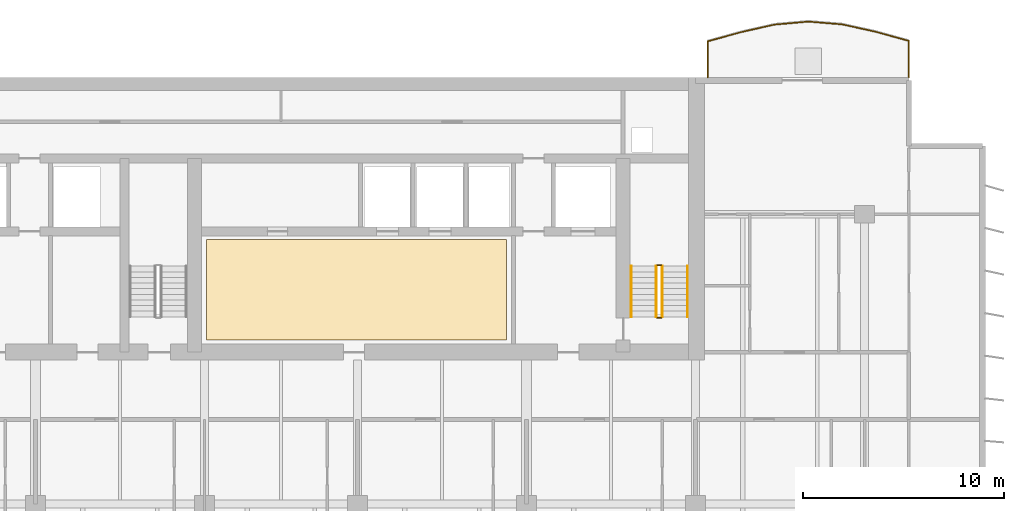
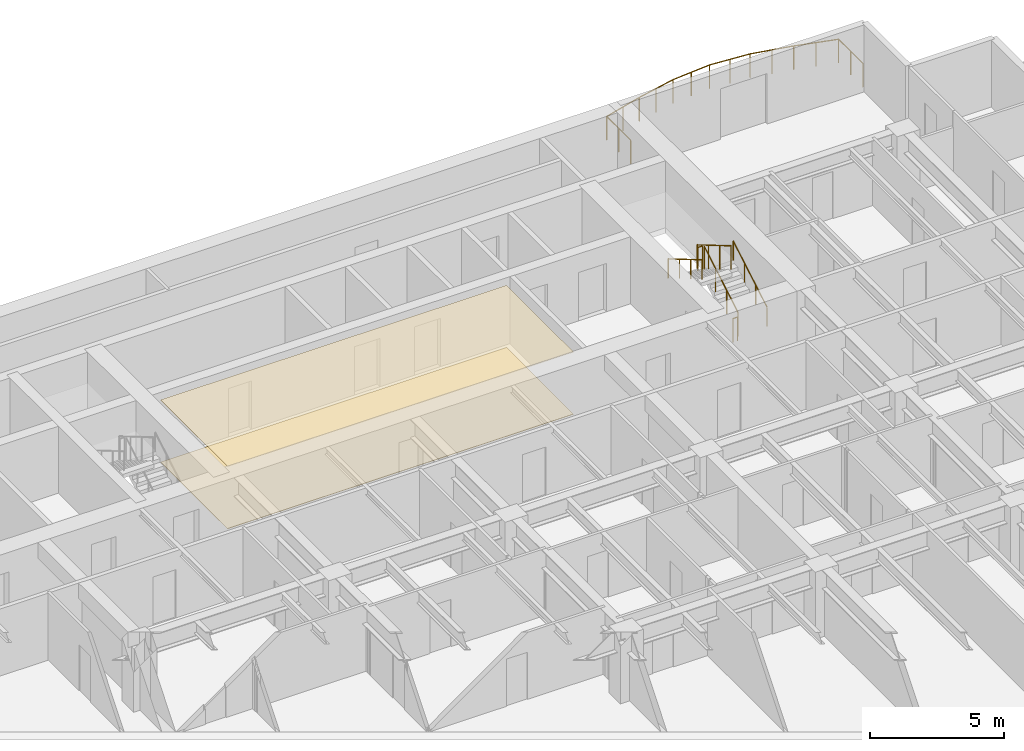
# One storey, part 18 of 19: 7 railings, 2 coverings.
"""IFC4 building model written with IfcOpenShell, lengths in metres."""

import ifcopenshell
import ifcopenshell.guid

model = None  # the IFC model being written
_history = None  # IfcOwnerHistory: only IFC2X3 demands one
_inside = {}  # id of a spatial element -> (the spatial element, [elements in it])
_under = {}  # id of a project, library or spatial element -> (it, [spatial elements below it])
_declared = {}  # id of a project -> (the project, [libraries it declares])
_typed = {}  # id of a type object -> (the type object, [elements of that type])
_made_of = {}  # id of a material, layer set ... -> (it, [elements and type objects made of it])


def new_model(schema):
    """Start an empty IFC model of exactly this schema.

    Asked for "IFC4X3", IfcOpenShell would pick the latest addendum, in which some entities
    have other attributes; the version numbers below select the first issue.
    IFC2X3 requires an IfcOwnerHistory on every rooted entity: one is made here for all.
    """
    global model, _history
    if schema == "IFC4X3":
        model = ifcopenshell.file(schema_version=(4, 3, 0, 0))
    else:
        model = ifcopenshell.file(schema=schema)
    _inside.clear()
    _under.clear()
    _declared.clear()
    _typed.clear()
    _made_of.clear()
    _history = None
    if model.schema == "IFC2X3":
        org = make("IfcOrganization", Name="unknown")
        user = make(
            "IfcPersonAndOrganization",
            ThePerson=make("IfcPerson", FamilyName="unknown"),
            TheOrganization=org,
        )
        app = make(
            "IfcApplication",
            ApplicationDeveloper=org,
            Version="unknown",
            ApplicationFullName="unknown",
            ApplicationIdentifier="unknown",
        )
        _history = make(
            "IfcOwnerHistory",
            OwningUser=user,
            OwningApplication=app,
            ChangeAction="ADDED",
            CreationDate=0,
        )
    return model


def make(cls, **values):
    """One entity of the class cls with the attributes given. An attribute that is None is left unset."""
    return model.create_entity(
        cls, **{name: value for name, value in values.items() if value is not None}
    )


def rooted(cls, **values):
    """An entity with a GlobalId (a new one), such as an element, a storey or a relation."""
    return make(cls, GlobalId=ifcopenshell.guid.new(), OwnerHistory=_history, **values)


def si_unit(unit_type, name, prefix=None):
    """IfcSIUnit, for example si_unit("LENGTHUNIT", "METRE", prefix="MILLI")."""
    return make("IfcSIUnit", UnitType=unit_type, Prefix=prefix, Name=name)


def assignment(units):
    """IfcUnitAssignment: the units of a project."""
    return None if units is None else make("IfcUnitAssignment", Units=units)


def point(xyz):
    """IfcCartesianPoint."""
    return None if xyz is None else make("IfcCartesianPoint", Coordinates=xyz)


def direction(xyz):
    """IfcDirection."""
    return None if xyz is None else make("IfcDirection", DirectionRatios=xyz)


def frame(location, z_axis=None, x_axis=None):
    """IfcAxis2Placement3D, a coordinate frame: its origin and axes. An axis left out is left unset."""
    return make(
        "IfcAxis2Placement3D",
        Location=point(location),
        Axis=direction(z_axis),
        RefDirection=direction(x_axis),
    )


def frame_2d(location, x_axis=None):
    """IfcAxis2Placement2D, a coordinate frame in the plane: its origin and x axis."""
    return make(
        "IfcAxis2Placement2D", Location=point(location), RefDirection=direction(x_axis)
    )


def origin():
    """The frame at (0, 0, 0) with its axes left unset."""
    return frame((0.0, 0.0, 0.0))


def origin_2d():
    """The frame at (0, 0) in the plane with its x axis left unset."""
    return frame_2d((0.0, 0.0))


def place(relative_to, where):
    """IfcLocalPlacement: puts the frame where relative to a parent placement (None: the world)."""
    return make(
        "IfcLocalPlacement", PlacementRelTo=relative_to, RelativePlacement=where
    )


def context(
    kind, dimensions, precision=None, world=None, true_north=None, identifier=None
):
    """IfcGeometricRepresentationContext, for example the 3D "Model" context."""
    return make(
        "IfcGeometricRepresentationContext",
        ContextIdentifier=identifier,
        ContextType=kind,
        CoordinateSpaceDimension=dimensions,
        Precision=precision,
        WorldCoordinateSystem=world,
        TrueNorth=true_north,
    )


def subcontext(parent, identifier, kind, view, scale=None):
    """IfcGeometricRepresentationSubContext, for example "Body" below "Model"."""
    return make(
        "IfcGeometricRepresentationSubContext",
        ContextIdentifier=identifier,
        ContextType=kind,
        ParentContext=parent,
        TargetScale=scale,
        TargetView=view,
    )


def project(units=None, contexts=None):
    """IfcProject with its units and contexts."""
    return rooted(
        "IfcProject",
        Name="project",
        RepresentationContexts=contexts,
        UnitsInContext=assignment(units),
    )


def spatial(cls, under=None, at=None, **own):
    """A site, building, storey or space (cls), placed at a placement, below another one or the project."""
    s = rooted(cls, ObjectPlacement=at, **own)
    if under is not None:
        _under.setdefault(under.id(), (under, []))[1].append(s)
    return s


def polyline(points):
    """IfcPolyline through the points."""
    return make("IfcPolyline", Points=[point(p) for p in points])


def profile(cls, at=None, kind="AREA", **sizes):
    """A parametric profile (cls). Its sizes go by their IFC names, for example OverallWidth=200.0."""
    return make(cls, ProfileType=kind, Position=at, **sizes)


def circle(**sizes):
    """IfcCircleProfileDef."""
    return profile("IfcCircleProfileDef", **sizes)


def outline(outer, holes=None, kind="AREA"):
    """IfcArbitraryClosedProfileDef: a profile drawn as a closed curve; with holes, ...WithVoids."""
    if holes is None:
        return make("IfcArbitraryClosedProfileDef", ProfileType=kind, OuterCurve=outer)
    return make(
        "IfcArbitraryProfileDefWithVoids",
        ProfileType=kind,
        OuterCurve=outer,
        InnerCurves=holes,
    )


def extrude(swept, where, along, depth):
    """IfcExtrudedAreaSolid: the profile swept, set in the frame where, extruded along a direction by depth."""
    return make(
        "IfcExtrudedAreaSolid",
        SweptArea=swept,
        Position=where,
        ExtrudedDirection=direction(along),
        Depth=depth,
    )


def shape(context_of_items, identifier, shape_type, items):
    """IfcShapeRepresentation: the items that make up one representation, for example the "Body"."""
    return make(
        "IfcShapeRepresentation",
        ContextOfItems=context_of_items,
        RepresentationIdentifier=identifier,
        RepresentationType=shape_type,
        Items=items,
    )


def material(Name=None, Category=None):
    """IfcMaterial."""
    return make("IfcMaterial", Name=Name, Category=Category)


def layer(
    of_material, thickness, ventilated=None, Name=None, Category=None, Priority=None
):
    """IfcMaterialLayer: one layer of a wall or slab, of a material (None: an air gap)."""
    return make(
        "IfcMaterialLayer",
        Material=of_material,
        LayerThickness=thickness,
        IsVentilated=ventilated,
        Name=Name,
        Category=Category,
        Priority=Priority,
    )


def layer_set(layers, Name=None):
    """IfcMaterialLayerSet."""
    return make("IfcMaterialLayerSet", MaterialLayers=layers, LayerSetName=Name)


def made_of(thing, what):
    """Note that an element or type object is made of a material, layer set ...; save() writes the relation."""
    if what is not None:
        _made_of.setdefault(what.id(), (what, []))[1].append(thing)
    return thing


def type_object(cls, material=None, **own):
    """A type object (cls), such as IfcWallType, which elements share."""
    return made_of(rooted(cls, **own), material)


def element(
    cls,
    number,
    at=None,
    inside=None,
    cuts=None,
    type_object=None,
    material=None,
    context=None,
    identifier="Body",
    shape_type=None,
    held_by="IfcProductDefinitionShape",
    body=None,
    shapes=None,
    **own,
):
    """One element of the class cls, such as IfcWall. Its Tag is "e" and its number.

    at: its placement. inside: the storey or other place that contains it. cuts: it is an
    opening in that element (IfcRelVoidsElement). A single representation is given by context,
    identifier, shape_type and body (its items); several are given by shapes. held_by: the class
    of the entity that holds the representations. save() writes the other relations.
    """
    e = rooted(cls, Tag="e%d" % number, ObjectPlacement=at, **own)
    if body is not None:
        shapes = [shape(context, identifier, shape_type, body)]
    if shapes is not None:
        e.Representation = make(held_by, Representations=shapes)
    if inside is not None:
        _inside.setdefault(inside.id(), (inside, []))[1].append(e)
    if cuts is not None:
        rooted(
            "IfcRelVoidsElement", RelatingBuildingElement=cuts, RelatedOpeningElement=e
        )
    if type_object is not None:
        _typed.setdefault(type_object.id(), (type_object, []))[1].append(e)
    return made_of(e, material)


def aggregate(whole, parts):
    """IfcRelAggregates: a whole, such as a stair, and the parts it consists of."""
    return rooted("IfcRelAggregates", RelatingObject=whole, RelatedObjects=parts)


def save(model, path):
    """Write the relations noted so far, then the file.

    IfcRelAggregates (storeys below a building ...), IfcRelContainedInSpatialStructure (elements
    in a storey), IfcRelDefinesByType, IfcRelAssociatesMaterial and IfcRelDeclares: one each for
    every whole, place, type object, material and project.
    """
    for whole, parts in _under.values():
        aggregate(whole, parts)
    for where, things in _inside.values():
        rooted(
            "IfcRelContainedInSpatialStructure",
            RelatedElements=things,
            RelatingStructure=where,
        )
    for kind, things in _typed.values():
        rooted("IfcRelDefinesByType", RelatedObjects=things, RelatingType=kind)
    for what, things in _made_of.values():
        rooted("IfcRelAssociatesMaterial", RelatedObjects=things, RelatingMaterial=what)
    for by, libraries in _declared.values():
        rooted("IfcRelDeclares", RelatingContext=by, RelatedDefinitions=libraries)
    model.write(path)


model = new_model("IFC4")

# Units and contexts
model_context = context("Model", 3, precision=1e-05, world=origin(), true_north=direction((0.0, 1.0)))
body_context = subcontext(model_context, "Body", "Model", "MODEL_VIEW")
ifc_project = project(units=[si_unit("LENGTHUNIT", "METRE"), si_unit("AREAUNIT", "SQUARE_METRE"), si_unit("VOLUMEUNIT", "CUBIC_METRE"), si_unit("PLANEANGLEUNIT", "RADIAN"), si_unit("MASSUNIT", "GRAM", prefix="KILO")], contexts=[model_context])

# Site, building, storey
site_placement = place(None, origin())
site = spatial("IfcSite", under=ifc_project, at=site_placement, CompositionType="ELEMENT")
building_placement = place(site_placement, origin())
building = spatial("IfcBuilding", under=site, at=building_placement, Name="Caelmar Bay Residences", CompositionType="ELEMENT")
storey_placement = place(building_placement, frame((0.0, 0.0, 112.5)))
storey = spatial("IfcBuildingStorey", under=building, at=storey_placement, Name="L30", CompositionType="ELEMENT", Elevation=112.5)

# Coverings
ifc_material_1 = material(Name="Perforated acoustic gypsum-mineral ceiling tile 20 mm")
ifc_layer_1 = layer(ifc_material_1, 0.02001953125)
ifc_layer_set_1 = layer_set([ifc_layer_1], Name="Perforated acoustic gypsum-mineral ceiling tile 20 mm")
covering_type_1 = type_object("IfcCoveringType", Name="COV-CEIL-20", PredefinedType="CEILING", material=ifc_layer_set_1)
covering_1_placement = place(storey_placement, frame((0.0, 0.0, 2.830078125)))
element("IfcCovering", 1, at=covering_1_placement, inside=storey, type_object=covering_type_1, Name="L30 Lift Lobby Acoustic Ceiling", PredefinedType="CEILING", context=body_context, shape_type="SweptSolid", body=[
    extrude(outline(polyline([(35.199951171875, 37.550048828125), (50.10009765625, 37.550048828125), (50.10009765625, 42.550048828125), (35.199951171875, 42.550048828125), (35.199951171875, 37.550048828125)])), origin(), (0.0, 0.0, 1.0), 0.02001953125),
])
ifc_material_2 = material(Name="Honed terrazzo and engineered white-oak flooring 20 mm")
ifc_layer_2 = layer(ifc_material_2, 0.02001953125)
ifc_layer_set_2 = layer_set([ifc_layer_2], Name="Honed terrazzo and engineered white-oak flooring 20 mm")
covering_type_2 = type_object("IfcCoveringType", Name="COV-FLR-20", PredefinedType="FLOORING", material=ifc_layer_set_2)
covering_2_placement = place(storey_placement, origin())
element("IfcCovering", 2, at=covering_2_placement, inside=storey, type_object=covering_type_2, Name="L30 Lift Lobby Terrazzo Flooring", PredefinedType="FLOORING", context=body_context, shape_type="SweptSolid", body=[
    extrude(outline(polyline([(35.199951171875, 37.550048828125), (50.10009765625, 37.550048828125), (50.10009765625, 42.550048828125), (35.199951171875, 42.550048828125), (35.199951171875, 37.550048828125)])), origin(), (0.0, 0.0, 1.0), 0.02001953125),
])

# Railings
ifc_material_3 = material(Name="Anodised bronze handrail with laminated hurricane glass infill", Category="glass")
railing_type_1 = type_object("IfcRailingType", Name="RL-BAL-1100", PredefinedType="BALUSTRADE", material=ifc_material_3)
railing_1_placement = place(storey_placement, frame((70.10009765625, 50.60009765625, 0.0)))
element("IfcRailing", 3, at=railing_1_placement, inside=storey, type_object=railing_type_1, Name="L30 north_east Balcony Balustrade", PredefinedType="BALUSTRADE", context=body_context, shape_type="SweptSolid", body=[
    extrude(circle(Radius=0.02392578125, at=origin_2d()), frame((0.0, 0.0, 1.076171875), z_axis=(0.0, 1.0, 0.0), x_axis=(-1.0, 0.0, 0.0)), (0.0, 0.0, 1.0), 1.8095703125),
    extrude(circle(Radius=0.02392578125, at=origin_2d()), frame((0.0, 1.8095703125, 1.076171875), z_axis=(-0.964003851304, 0.265888274792, 0.0), x_axis=(-0.265888274792, -0.964003851304, 0.0)), (0.0, 0.0, 1.0), 1.72900390625),
    extrude(circle(Radius=0.02392578125, at=origin_2d()), frame((-1.666748046875, 2.269287109375, 1.076171875), z_axis=(-0.976732649354, 0.214460559745, 0.0), x_axis=(-0.214460559745, -0.976732649354, 0.0)), (0.0, 0.0, 1.0), 1.70654296875),
    extrude(circle(Radius=0.02392578125, at=origin_2d()), frame((-3.33349609375, 2.63525390625, 1.076171875), z_axis=(-0.996757913482, 0.080459069782, 0.0), x_axis=(-0.080459069782, -0.996757913482, 0.0)), (0.0, 0.0, 1.0), 1.671875),
    extrude(circle(Radius=0.02392578125, at=origin_2d()), frame((-5.0, 2.769775390625, 1.076171875), z_axis=(-0.99610915751, -0.088128011006, 0.0), x_axis=(0.088128011006, -0.99610915751, 0.0)), (0.0, 0.0, 1.0), 1.67333984375),
    extrude(circle(Radius=0.02392578125, at=origin_2d()), frame((-6.666748046875, 2.622314453125, 1.076171875), z_axis=(-0.975703783406, -0.219093877246, 0.0), x_axis=(0.219093877246, -0.975703783406, 0.0)), (0.0, 0.0, 1.0), 1.708251953125),
    extrude(circle(Radius=0.02392578125, at=origin_2d()), frame((-8.33349609375, 2.248046875, 1.076171875), z_axis=(-0.963957656343, -0.266055702395, 0.0), x_axis=(0.266055702395, -0.963957656343, 0.0)), (0.0, 0.0, 1.0), 1.728759765625),
    extrude(circle(Radius=0.02392578125, at=origin_2d()), frame((-10.0, 1.7880859375, 1.076171875), z_axis=(0.0, -1.0, 0.0), x_axis=(1.0, 0.0, 0.0)), (0.0, 0.0, 1.0), 1.7880859375),
    extrude(circle(Radius=0.02099609375, at=origin_2d()), origin(), (0.0, 0.0, 1.0), 1.052001953125),
    extrude(circle(Radius=0.02099609375, at=origin_2d()), frame((0.0, 0.90478515625, 0.0)), (0.0, 0.0, 1.0), 1.052001953125),
    extrude(circle(Radius=0.02099609375, at=origin_2d()), frame((0.0, 1.8095703125, 0.0)), (0.0, 0.0, 1.0), 1.052001953125),
    extrude(circle(Radius=0.02099609375, at=origin_2d()), frame((-0.83349609375, 2.03955078125, 0.0)), (0.0, 0.0, 1.0), 1.052001953125),
    extrude(circle(Radius=0.02099609375, at=origin_2d()), frame((-1.666748046875, 2.269287109375, 0.0)), (0.0, 0.0, 1.0), 1.052001953125),
    extrude(circle(Radius=0.02099609375, at=origin_2d()), frame((-2.5, 2.4521484375, 0.0)), (0.0, 0.0, 1.0), 1.052001953125),
    extrude(circle(Radius=0.02099609375, at=origin_2d()), frame((-3.33349609375, 2.63525390625, 0.0)), (0.0, 0.0, 1.0), 1.052001953125),
    extrude(circle(Radius=0.02099609375, at=origin_2d()), frame((-4.166748046875, 2.70263671875, 0.0)), (0.0, 0.0, 1.0), 1.052001953125),
    extrude(circle(Radius=0.02099609375, at=origin_2d()), frame((-5.0, 2.769775390625, 0.0)), (0.0, 0.0, 1.0), 1.052001953125),
    extrude(circle(Radius=0.02099609375, at=origin_2d()), frame((-5.83349609375, 2.696044921875, 0.0)), (0.0, 0.0, 1.0), 1.052001953125),
    extrude(circle(Radius=0.02099609375, at=origin_2d()), frame((-6.666748046875, 2.622314453125, 0.0)), (0.0, 0.0, 1.0), 1.052001953125),
    extrude(circle(Radius=0.02099609375, at=origin_2d()), frame((-7.5, 2.43505859375, 0.0)), (0.0, 0.0, 1.0), 1.052001953125),
    extrude(circle(Radius=0.02099609375, at=origin_2d()), frame((-8.33349609375, 2.248046875, 0.0)), (0.0, 0.0, 1.0), 1.052001953125),
    extrude(circle(Radius=0.02099609375, at=origin_2d()), frame((-9.166748046875, 2.01806640625, 0.0)), (0.0, 0.0, 1.0), 1.052001953125),
    extrude(circle(Radius=0.02099609375, at=origin_2d()), frame((-10.0, 1.7880859375, 0.0)), (0.0, 0.0, 1.0), 1.052001953125),
    extrude(circle(Radius=0.02099609375, at=origin_2d()), frame((-10.0, 0.89404296875, 0.0)), (0.0, 0.0, 1.0), 1.052001953125),
    extrude(circle(Radius=0.02099609375, at=origin_2d()), frame((-10.0, 0.0, 0.0)), (0.0, 0.0, 1.0), 1.052001953125),
])
ifc_material_4 = material(Name="Painted galvanized steel stair guard 1100 mm", Category="steel")
railing_type_2 = type_object("IfcRailingType", Name="RL-GRD-1100", PredefinedType="GUARDRAIL", material=ifc_material_4)
railing_2_placement = place(storey_placement, frame((57.85009765625, 38.699951171875, 0.1650390625)))
element("IfcRailing", 4, at=railing_2_placement, inside=storey, type_object=railing_type_2, Name="L30 ST2 stair guard 1", PredefinedType="GUARDRAIL", context=body_context, shape_type="SweptSolid", body=[
    extrude(circle(Radius=0.02392578125, at=origin_2d()), frame((0.0, 0.0, 1.076171875), z_axis=(0.0, 0.861560626758, 0.507654692109), x_axis=(-1.0, 0.0, 0.0)), (0.0, 0.0, 1.0), 2.925048828125),
    extrude(circle(Radius=0.02099609375, at=origin_2d()), origin(), (0.0, 0.0, 1.0), 1.052001953125),
    extrude(circle(Radius=0.02099609375, at=origin_2d()), frame((0.0, 0.840087890625, 0.494873046875)), (0.0, 0.0, 1.0), 1.052001953125),
    extrude(circle(Radius=0.02099609375, at=origin_2d()), frame((0.0, 1.679931640625, 0.989990234375)), (0.0, 0.0, 1.0), 1.052001953125),
    extrude(circle(Radius=0.02099609375, at=origin_2d()), frame((0.0, 2.52001953125, 1.48486328125)), (0.0, 0.0, 1.0), 1.052001953125),
])
railing_3_placement = place(storey_placement, frame((57.800048828125, 41.27001953125, 1.64990234375)))
element("IfcRailing", 5, at=railing_3_placement, inside=storey, type_object=railing_type_2, Name="L30 ST2 stair guard 2", PredefinedType="GUARDRAIL", context=body_context, shape_type="SweptSolid", body=[
    extrude(circle(Radius=0.02392578125, at=origin_2d()), frame((0.0, 0.0, 1.076171875), z_axis=(-1.0, 0.0, 0.0), x_axis=(0.0, -1.0, 0.0)), (0.0, 0.0, 1.0), 0.199951171875),
    extrude(circle(Radius=0.02099609375, at=origin_2d()), origin(), (0.0, 0.0, 1.0), 1.052001953125),
    extrude(circle(Radius=0.02099609375, at=origin_2d()), frame((-0.199951171875, 0.0, 0.0)), (0.0, 0.0, 1.0), 1.052001953125),
])
railing_4_placement = place(storey_placement, frame((57.550048828125, 41.219970703125, 1.81494140625)))
element("IfcRailing", 6, at=railing_4_placement, inside=storey, type_object=railing_type_2, Name="L30 ST2 stair guard 3", PredefinedType="GUARDRAIL", context=body_context, shape_type="SweptSolid", body=[
    extrude(circle(Radius=0.02392578125, at=origin_2d()), frame((0.0, 0.0, 1.076171875), z_axis=(0.0, -0.86152411907, 0.507716645641), x_axis=(1.0, 0.0, 0.0)), (0.0, 0.0, 1.0), 2.925048828125),
    extrude(circle(Radius=0.02099609375, at=origin_2d()), origin(), (0.0, 0.0, 1.0), 1.052001953125),
    extrude(circle(Radius=0.02099609375, at=origin_2d()), frame((0.0, -0.840087890625, 0.4951171875)), (0.0, 0.0, 1.0), 1.052001953125),
    extrude(circle(Radius=0.02099609375, at=origin_2d()), frame((0.0, -1.679931640625, 0.989990234375)), (0.0, 0.0, 1.0), 1.052001953125),
    extrude(circle(Radius=0.02099609375, at=origin_2d()), frame((0.0, -2.52001953125, 1.485107421875)), (0.0, 0.0, 1.0), 1.052001953125),
])
railing_5_placement = place(storey_placement, frame((57.800048828125, 38.64990234375, 0.0)))
element("IfcRailing", 7, at=railing_5_placement, inside=storey, type_object=railing_type_2, Name="L30 ST2 stair guard 4", PredefinedType="GUARDRAIL", context=body_context, shape_type="SweptSolid", body=[
    extrude(circle(Radius=0.02392578125, at=origin_2d()), frame((0.0, 0.0, 1.076171875), z_axis=(-1.0, 0.0, 0.0), x_axis=(0.0, -1.0, 0.0)), (0.0, 0.0, 1.0), 0.199951171875),
    extrude(circle(Radius=0.02099609375, at=origin_2d()), origin(), (0.0, 0.0, 1.0), 1.052001953125),
    extrude(circle(Radius=0.02099609375, at=origin_2d()), frame((-0.199951171875, 0.0, 0.0)), (0.0, 0.0, 1.0), 1.052001953125),
])
ifc_material_5 = material(Name="Brushed bronze stainless-steel tubular handrail 900 mm", Category="steel")
railing_type_3 = type_object("IfcRailingType", Name="RL-HND-900", PredefinedType="HANDRAIL", material=ifc_material_5)
railing_6_placement = place(storey_placement, frame((59.10009765625, 38.699951171875, 0.1650390625)))
element("IfcRailing", 8, at=railing_6_placement, inside=storey, type_object=railing_type_3, Name="L30 ST2 stair handrail 1", PredefinedType="HANDRAIL", context=body_context, shape_type="SweptSolid", body=[
    extrude(circle(Radius=0.02392578125, at=origin_2d()), frame((0.0, 0.0, 0.8759765625), z_axis=(0.0, 0.861560626758, 0.507654692109), x_axis=(-1.0, 0.0, 0.0)), (0.0, 0.0, 1.0), 2.925048828125),
    extrude(circle(Radius=0.02099609375, at=origin_2d()), origin(), (0.0, 0.0, 1.0), 0.851806640625),
    extrude(circle(Radius=0.02099609375, at=origin_2d()), frame((0.0, 0.840087890625, 0.494873046875)), (0.0, 0.0, 1.0), 0.851806640625),
    extrude(circle(Radius=0.02099609375, at=origin_2d()), frame((0.0, 1.679931640625, 0.989990234375)), (0.0, 0.0, 1.0), 0.851806640625),
    extrude(circle(Radius=0.02099609375, at=origin_2d()), frame((0.0, 2.52001953125, 1.48486328125)), (0.0, 0.0, 1.0), 0.851806640625),
])
railing_7_placement = place(storey_placement, frame((56.300048828125, 41.219970703125, 1.81494140625)))
element("IfcRailing", 9, at=railing_7_placement, inside=storey, type_object=railing_type_3, Name="L30 ST2 stair handrail 2", PredefinedType="HANDRAIL", context=body_context, shape_type="SweptSolid", body=[
    extrude(circle(Radius=0.02392578125, at=origin_2d()), frame((0.0, 0.0, 0.8759765625), z_axis=(0.0, -0.86152411907, 0.507716645641), x_axis=(1.0, 0.0, 0.0)), (0.0, 0.0, 1.0), 2.925048828125),
    extrude(circle(Radius=0.02099609375, at=origin_2d()), origin(), (0.0, 0.0, 1.0), 0.851806640625),
    extrude(circle(Radius=0.02099609375, at=origin_2d()), frame((0.0, -0.840087890625, 0.4951171875)), (0.0, 0.0, 1.0), 0.851806640625),
    extrude(circle(Radius=0.02099609375, at=origin_2d()), frame((0.0, -1.679931640625, 0.989990234375)), (0.0, 0.0, 1.0), 0.851806640625),
    extrude(circle(Radius=0.02099609375, at=origin_2d()), frame((0.0, -2.52001953125, 1.485107421875)), (0.0, 0.0, 1.0), 0.851806640625),
])

save(model, "model.ifc")
